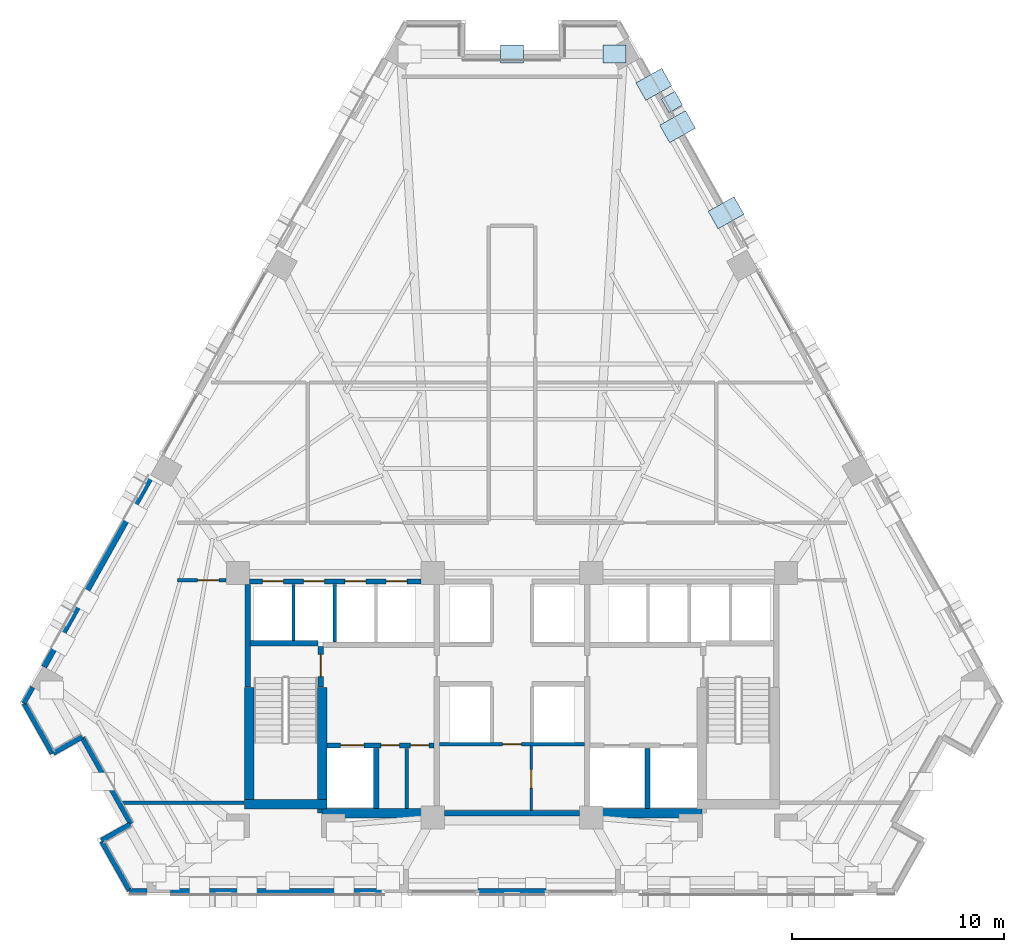
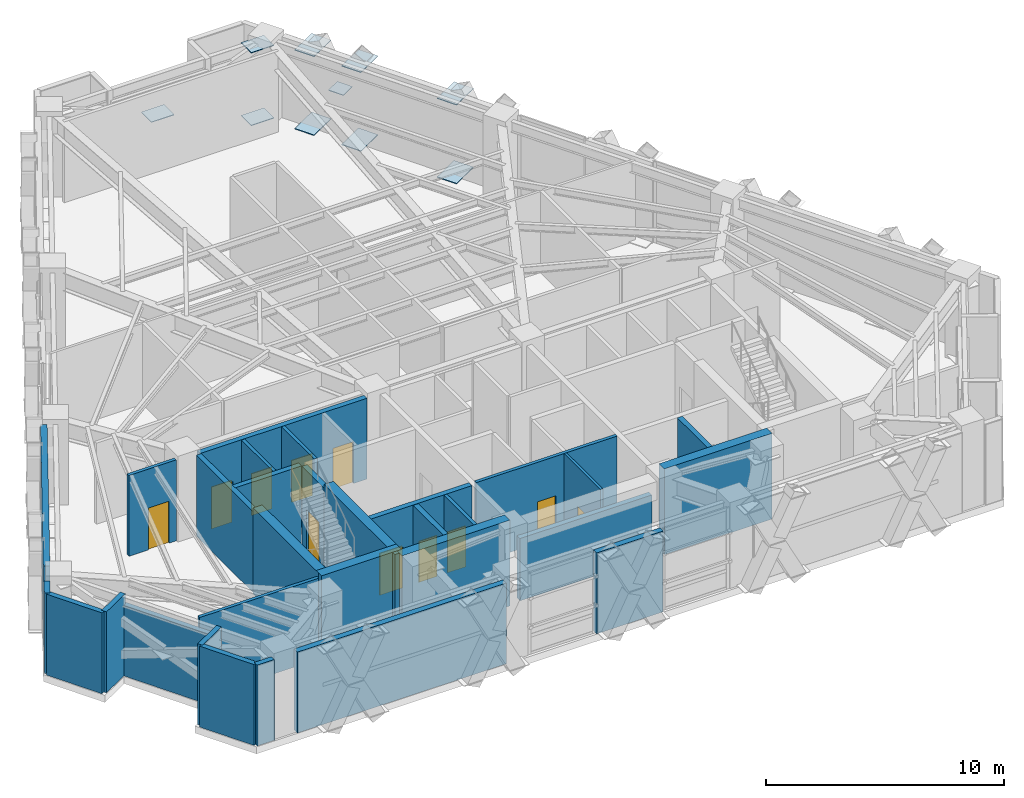
# One storey, part 6 of 12: 30 walls, 11 doors, 10 plates, 11 openings.
"""IFC4 building model written with IfcOpenShell, lengths in metres."""

from ifc_helpers import new_model, si_unit, direction, frame, frame_2d, origin, origin_2d, place, context, subcontext, project, spatial, rectangle, extrude, material, layer, layer_set, type_object, element, fill, save


model = new_model("IFC4")

# Units and contexts
model_context = context("Model", 3, precision=1e-05, world=origin(), true_north=direction((0.0, 1.0)))
body_context = subcontext(model_context, "Body", "Model", "MODEL_VIEW")
ifc_project = project(units=[si_unit("LENGTHUNIT", "METRE"), si_unit("AREAUNIT", "SQUARE_METRE"), si_unit("VOLUMEUNIT", "CUBIC_METRE"), si_unit("PLANEANGLEUNIT", "RADIAN"), si_unit("MASSUNIT", "GRAM", prefix="KILO")], contexts=[model_context])

# Site, building, storey
site_placement = place(None, origin())
site = spatial("IfcSite", under=ifc_project, at=site_placement, CompositionType="ELEMENT")
building_placement = place(site_placement, origin())
building = spatial("IfcBuilding", under=site, at=building_placement, Name="Quenlor Broadcast Tower", CompositionType="ELEMENT")
storey_placement = place(building_placement, frame((0.0, 0.0, 90.60009765625)))
storey = spatial("IfcBuildingStorey", under=building, at=storey_placement, Name="L24", CompositionType="ELEMENT", Elevation=90.60009765625)

# Plates
ifc_material_1 = material(Name="Steel S355", Category="steel")
ifc_layer_1 = layer(ifc_material_1, 0.031982421875)
ifc_layer_set_1 = layer_set([ifc_layer_1], Name="Outrigger Perimeter Steel S355 Belt Gusset Plate 1100x850x32")
plate_type_1 = type_object("IfcPlateType", Name="Outrigger Perimeter Steel S355 Belt Gusset Plate 1100x850x32", PredefinedType="SHEET", material=ifc_layer_set_1)
for number, where, z_axis, x_axis, name in (
    (1, (0.0, 19.718994140625, 2.048828125), (0.0, 0.0, 1.0), (1.0, 0.0, 0.0), "L24 Belt Truss Gusset Plate 8-MID"),
    (2, (4.84228515625, 19.718994140625, 0.18408203125), (0.0, 0.0, 1.0), (1.0, 0.0, 0.0), "L24 Belt Truss Gusset Plate 8-E1"),
    (3, (4.84228515625, 19.718994140625, 3.9140625), (0.0, 0.0, 1.0), (1.0, 0.0, 0.0), "L24 Belt Truss Gusset Plate 8-E3"),
):
    element("IfcPlate", number, at=place(storey_placement, frame(where, z_axis=z_axis, x_axis=x_axis)), inside=storey, type_object=plate_type_1, Name=name, PredefinedType="SHEET", context=body_context, shape_type="SweptSolid", body=[
        extrude(rectangle(XDim=1.10009765625, YDim=0.85009765625, at=origin_2d()), origin(), (0.0, 0.0, 1.0), 0.031982421875),
    ])
ifc_material_2 = material(Name="Steel S355", Category="steel")
ifc_layer_2 = layer(ifc_material_2, 0.028076171875)
ifc_layer_set_2 = layer_set([ifc_layer_2], Name="Perimeter Lattice Node Steel S355 Cap Plate 740x740x28")
plate_type_2 = type_object("IfcPlateType", Name="Perimeter Lattice Node Steel S355 Cap Plate 740x740x28", PredefinedType="USERDEFINED", material=ifc_layer_set_2)
plate_placement = place(storey_placement, frame((7.5537109375, 17.45068359375, 2.06591796875), z_axis=(0.0, 0.0, 1.0), x_axis=(0.490295412055, -0.871556314255, 0.0)))
element("IfcPlate", 4, at=plate_placement, inside=storey, type_object=plate_type_2, Name="L24 Diamond Lattice Crossing Node NE-C1", ObjectType="CAP PLATE", PredefinedType="USERDEFINED", context=body_context, shape_type="SweptSolid", body=[
    extrude(rectangle(XDim=0.739990234375, YDim=0.739990234375, at=origin_2d()), origin(), (0.0, 0.0, 1.0), 0.028076171875),
])
ifc_material_3 = material(Name="Steel S355", Category="steel")
ifc_layer_3 = layer(ifc_material_3, 0.035888671875)
ifc_layer_set_3 = layer_set([ifc_layer_3], Name="Transfer Truss Steel S355 Gusset Node Plate 1400x950x36")
plate_type_3 = type_object("IfcPlateType", Name="Transfer Truss Steel S355 Gusset Node Plate 1400x950x36", PredefinedType="SHEET", material=ifc_layer_set_3)
for number, where, z_axis, x_axis, name in (
    (5, (6.69970703125, 18.28564453125, 0.0419921875), (0.0, 0.0, 1.0), (0.871556314255, 0.490295412055, 0.0), "L24 Lattice Tie Gusset Node NE-B1"),
    (6, (7.823486328125, 16.287353515625, 4.08203125), (0.0, 0.0, 1.0), (0.871556314255, 0.490295412055, 0.0), "L24 Lattice Tie Gusset Node NE-T2"),
    (7, (7.823486328125, 16.287353515625, 0.0419921875), (0.0, 0.0, 1.0), (0.871556314255, 0.490295412055, 0.0), "L24 Lattice Tie Gusset Node NE-B2"),
    (8, (6.69970703125, 18.28564453125, 4.08203125), (0.0, 0.0, 1.0), (0.871556314255, 0.490295412055, 0.0), "L24 Lattice Tie Gusset Node NE-T1"),
    (9, (10.11279296875, 12.218017578125, 0.0419921875), (0.0, 0.0, 1.0), (0.871556314255, 0.490295412055, 0.0), "L24 Lattice Tie Gusset Node NE-B4"),
    (10, (10.11279296875, 12.218017578125, 4.08203125), (0.0, 0.0, 1.0), (0.871556314255, 0.490295412055, 0.0), "L24 Lattice Tie Gusset Node NE-T4"),
):
    element("IfcPlate", number, at=place(storey_placement, frame(where, z_axis=z_axis, x_axis=x_axis)), inside=storey, type_object=plate_type_3, Name=name, PredefinedType="SHEET", context=body_context, shape_type="SweptSolid", body=[
        extrude(rectangle(XDim=1.39990234375, YDim=0.949951171875, at=origin_2d()), origin(), (0.0, 0.0, 1.0), 0.035888671875),
    ])

# Walls
ifc_material_4 = material(Name="Concrete C50/60", Category="concrete")
ifc_layer_4 = layer(ifc_material_4, 0.449951171875)
ifc_layer_set_4 = layer_set([ifc_layer_4], Name="Core Concrete C50/60 Shear Wall 450")
wall_type_1 = type_object("IfcWallType", Name="Core Concrete C50/60 Shear Wall 450", PredefinedType="SHEAR", material=ifc_layer_set_4)
wall_1_placement = place(storey_placement, frame((-12.64990234375, -15.72509765625, 0.0), z_axis=(0.0, 0.0, 1.0), x_axis=(1.0, 0.0, 0.0)))
element("IfcWall", 11, at=wall_1_placement, inside=storey, type_object=wall_type_1, Name="L24 Core Shear Wall WS-W1", PredefinedType="SHEAR", context=body_context, shape_type="SweptSolid", body=[
    extrude(rectangle(XDim=3.89990234375, YDim=0.449951171875, at=frame_2d((1.949951171875, 0.0))), origin(), (0.0, 0.0, 1.0), 4.39990234375),
])
for number, where, z_axis, x_axis, name in (
    (12, (-8.97509765625, -16.14990234375, 0.0), (0.0, 0.0, 1.0), (1.0, 0.0, 0.0), "L24 Core Shear Wall WS-W2"),
    (13, (3.75, -16.14990234375, 0.0), (0.0, 0.0, 1.0), (1.0, 0.0, 0.0), "L24 Core Shear Wall WS-E1"),
):
    element("IfcWall", number, at=place(storey_placement, frame(where, z_axis=z_axis, x_axis=x_axis)), inside=storey, type_object=wall_type_1, Name=name, PredefinedType="SHEAR", context=body_context, shape_type="SweptSolid", body=[
        extrude(rectangle(XDim=5.22509765625, YDim=0.449951171875, at=frame_2d((2.612548828125, 0.0))), origin(), (0.0, 0.0, 1.0), 4.39990234375),
    ])
wall_2_placement = place(storey_placement, frame((-12.425048828125, -15.72509765625, 0.0), z_axis=(0.0, 0.0, 1.0), x_axis=(0.0, 1.0, 0.0)))
element("IfcWall", 14, at=wall_2_placement, inside=storey, type_object=wall_type_1, Name="L24 Core Shear Wall WF-W", PredefinedType="SHEAR", context=body_context, shape_type="SweptSolid", body=[
    extrude(rectangle(XDim=5.525146484375, YDim=0.449951171875, at=frame_2d((2.7626953125, 0.0))), origin(), (0.0, 0.0, 1.0), 4.39990234375),
])
wall_3_placement = place(storey_placement, frame((-8.97509765625, -16.14990234375, 0.0), z_axis=(0.0, 0.0, 1.0), x_axis=(0.0, 1.0, 0.0)))
element("IfcWall", 15, at=wall_3_placement, inside=storey, type_object=wall_type_1, Name="L24 Core Shear Wall WI-W", PredefinedType="SHEAR", context=body_context, shape_type="SweptSolid", body=[
    extrude(rectangle(XDim=5.949951171875, YDim=0.449951171875, at=frame_2d((2.97509765625, 0.0))), origin(), (0.0, 0.0, 1.0), 4.39990234375),
])

# Wall, opening, door
ifc_material_5 = material(Name="Concrete C40/50", Category="concrete")
ifc_layer_5 = layer(ifc_material_5, 0.25)
ifc_layer_set_5 = layer_set([ifc_layer_5], Name="Fire Rated Concrete C40/50 Core Wall 250")
wall_type_2 = type_object("IfcWallType", Name="Fire Rated Concrete C40/50 Core Wall 250", PredefinedType="PARTITIONING", material=ifc_layer_set_5)
wall_4_placement = place(storey_placement, frame((-9.0400390625, -10.179931640625, 0.0), z_axis=(0.0, 0.0, 1.0), x_axis=(0.0, 1.0, 0.0)))
wall_4 = element("IfcWall", 16, at=wall_4_placement, inside=storey, type_object=wall_type_2, Name="L24 Interior Wall CW-ST1-DR", PredefinedType="PARTITIONING", context=body_context, shape_type="SweptSolid", body=[
    extrude(rectangle(XDim=1.89990234375, YDim=0.25, at=frame_2d((0.949951171875, 0.0))), origin(), (0.0, 0.0, 1.0), 4.14990234375),
])
opening_1_placement = place(wall_4_placement, frame((0.47998046875, 0.0, 0.0)))
opening_1 = element("IfcOpeningElement", 17, at=opening_1_placement, cuts=wall_4, Name="Opening FD-1", PredefinedType="OPENING", context=body_context, shape_type="SweptSolid", body=[
    extrude(rectangle(XDim=1.050048828125, YDim=2.14990234375, at=frame_2d((0.52490234375, 1.074951171875))), frame((0.0, 0.135009765625, 0.0), z_axis=(0.0, -1.0, 0.0), x_axis=(1.0, 0.0, 0.0)), (0.0, 0.0, 1.0), 0.27001953125),
])
ifc_material_6 = material(Name="Fire Rated Steel Door Leaf", Category="steel")
door_type_1 = type_object("IfcDoorType", Name="Fire Isolated Stair Door 1050x2150", OperationType="NOTDEFINED", PredefinedType="DOOR", material=ifc_material_6)
door_1_placement = place(opening_1_placement, origin())
door_1 = element("IfcDoor", 18, at=door_1_placement, inside=storey, type_object=door_type_1, Name="L24 Door DR-ST1", OperationType="SINGLE_SWING_LEFT", OverallHeight=2.14990234375, OverallWidth=1.050048828125, PredefinedType="DOOR", context=body_context, shape_type="SweptSolid", body=[
    extrude(rectangle(XDim=1.050048828125, YDim=2.14990234375, at=frame_2d((0.52490234375, 1.074951171875))), frame((0.0, 0.02490234375, 0.0), z_axis=(0.0, -1.0, 0.0), x_axis=(1.0, 0.0, 0.0)), (0.0, 0.0, 1.0), 0.050048828125),
])
fill(opening_1, door_1)

# Walls
wall_5_placement = place(storey_placement, frame((-12.3798828125, -8.1201171875, 0.0), z_axis=(0.0, 0.0, 1.0), x_axis=(1.0, 0.0, 0.0)))
element("IfcWall", 19, at=wall_5_placement, inside=storey, type_object=wall_type_2, Name="L24 Interior Wall CW-ST1-N", PredefinedType="PARTITIONING", context=body_context, shape_type="SweptSolid", body=[
    extrude(rectangle(XDim=3.219970703125, YDim=0.25, at=frame_2d((1.60986328125, 0.0))), origin(), (0.0, 0.0, 1.0), 4.14990234375),
])
wall_6_placement = place(storey_placement, frame((-12.47998046875, -10.179931640625, 0.0), z_axis=(0.0, 0.0, 1.0), x_axis=(0.0, 1.0, 0.0)))
element("IfcWall", 20, at=wall_6_placement, inside=storey, type_object=wall_type_2, Name="L24 Interior Wall CW-ST1-W2", PredefinedType="PARTITIONING", context=body_context, shape_type="SweptSolid", body=[
    extrude(rectangle(XDim=4.827880859375, YDim=0.25, at=frame_2d((2.4140625, 0.0))), origin(), (0.0, 0.0, 1.0), 4.14990234375),
])

# Wall, openings, doors
wall_7_placement = place(storey_placement, frame((-8.748046875, -12.949951171875, 0.0), z_axis=(0.0, 0.0, 1.0), x_axis=(1.0, 0.0, 0.0)))
wall_7 = element("IfcWall", 21, at=wall_7_placement, inside=storey, type_object=wall_type_2, Name="L24 Interior Wall CW-FFW-S", PredefinedType="PARTITIONING", context=body_context, shape_type="SweptSolid", body=[
    extrude(rectangle(XDim=5.068115234375, YDim=0.25, at=frame_2d((2.5341796875, 0.0))), origin(), (0.0, 0.0, 1.0), 4.14990234375),
])
opening_2_placement = place(wall_7_placement, frame((0.64794921875, 0.0, 0.0)))
opening_2 = element("IfcOpeningElement", 22, at=opening_2_placement, cuts=wall_7, Name="Opening LD-FFL-1", PredefinedType="OPENING", context=body_context, shape_type="SweptSolid", body=[
    extrude(rectangle(XDim=1.10009765625, YDim=2.14990234375, at=frame_2d((0.550048828125, 1.074951171875))), frame((0.0, 0.135009765625, 0.0), z_axis=(0.0, -1.0, 0.0), x_axis=(1.0, 0.0, 0.0)), (0.0, 0.0, 1.0), 0.27001953125),
])
opening_3_placement = place(wall_7_placement, frame((2.548095703125, 0.0, 0.0)))
opening_3 = element("IfcOpeningElement", 23, at=opening_3_placement, cuts=wall_7, Name="Opening TD-1", PredefinedType="OPENING", context=body_context, shape_type="SweptSolid", body=[
    extrude(rectangle(XDim=0.8798828125, YDim=2.10009765625, at=frame_2d((0.43994140625, 1.050048828125))), frame((0.0, 0.135009765625, 0.0), z_axis=(0.0, -1.0, 0.0), x_axis=(1.0, 0.0, 0.0)), (0.0, 0.0, 1.0), 0.27001953125),
])
opening_4_placement = place(wall_7_placement, frame((3.947998046875, 0.0, 0.0)))
opening_4 = element("IfcOpeningElement", 24, at=opening_4_placement, cuts=wall_7, Name="Opening TD-1", PredefinedType="OPENING", context=body_context, shape_type="SweptSolid", body=[
    extrude(rectangle(XDim=0.8798828125, YDim=2.10009765625, at=frame_2d((0.43994140625, 1.050048828125))), frame((0.0, 0.135009765625, 0.0), z_axis=(0.0, -1.0, 0.0), x_axis=(1.0, 0.0, 0.0)), (0.0, 0.0, 1.0), 0.27001953125),
])
ifc_material_7 = material(Name="Brushed Stainless Steel", Category="steel")
door_type_2 = type_object("IfcDoorType", Name="Emergency Lift Sliding Landing Door 1100x2150", OperationType="NOTDEFINED", PredefinedType="DOOR", material=ifc_material_7)
door_2_placement = place(opening_2_placement, origin())
door_2 = element("IfcDoor", 25, at=door_2_placement, inside=storey, type_object=door_type_2, Name="L24 Door LD-FFL-1", OperationType="SLIDING_TO_LEFT", OverallHeight=2.14990234375, OverallWidth=1.10009765625, PredefinedType="DOOR", context=body_context, shape_type="SweptSolid", body=[
    extrude(rectangle(XDim=1.10009765625, YDim=2.14990234375, at=frame_2d((0.550048828125, 1.074951171875))), frame((0.0, 0.02490234375, 0.0), z_axis=(0.0, -1.0, 0.0), x_axis=(1.0, 0.0, 0.0)), (0.0, 0.0, 1.0), 0.050048828125),
])
fill(opening_2, door_2)
ifc_material_8 = material(Name="Fire Rated Steel Access Panel", Category="steel")
door_type_3 = type_object("IfcDoorType", Name="Riser Shaft Rated Access Trapdoor 880x2100", OperationType="NOTDEFINED", PredefinedType="TRAPDOOR", material=ifc_material_8)
door_3_placement = place(opening_3_placement, origin())
door_3 = element("IfcDoor", 26, at=door_3_placement, inside=storey, type_object=door_type_3, Name="L24 Door DR-ELR", OperationType="SINGLE_SWING_LEFT", OverallHeight=2.10009765625, OverallWidth=0.8798828125, PredefinedType="TRAPDOOR", context=body_context, shape_type="SweptSolid", body=[
    extrude(rectangle(XDim=0.8798828125, YDim=2.10009765625, at=frame_2d((0.43994140625, 1.050048828125))), frame((0.0, 0.02490234375, 0.0), z_axis=(0.0, -1.0, 0.0), x_axis=(1.0, 0.0, 0.0)), (0.0, 0.0, 1.0), 0.050048828125),
])
fill(opening_3, door_3)
door_4_placement = place(opening_4_placement, origin())
door_4 = element("IfcDoor", 27, at=door_4_placement, inside=storey, type_object=door_type_3, Name="L24 Door DR-CMR", OperationType="SINGLE_SWING_RIGHT", OverallHeight=2.10009765625, OverallWidth=0.8798828125, PredefinedType="TRAPDOOR", context=body_context, shape_type="SweptSolid", body=[
    extrude(rectangle(XDim=0.8798828125, YDim=2.10009765625, at=frame_2d((0.43994140625, 1.050048828125))), frame((0.0, 0.02490234375, 0.0), z_axis=(0.0, -1.0, 0.0), x_axis=(1.0, 0.0, 0.0)), (0.0, 0.0, 1.0), 0.050048828125),
])
fill(opening_4, door_4)

# Walls
for number, where, z_axis, x_axis, name in (
    (28, (-6.419921875, -15.919921875, 0.0), (0.0, 0.0, 1.0), (0.0, 1.0, 0.0), "L24 Interior Wall CW-FF1-E"),
    (29, (6.39990234375, -15.919921875, 0.0), (0.0, 0.0, 1.0), (0.0, 1.0, 0.0), "L24 Interior Wall CW-SV1-E"),
):
    element("IfcWall", number, at=place(storey_placement, frame(where, z_axis=z_axis, x_axis=x_axis)), inside=storey, type_object=wall_type_2, Name=name, PredefinedType="PARTITIONING", context=body_context, shape_type="SweptSolid", body=[
        extrude(rectangle(XDim=2.829833984375, YDim=0.25, at=frame_2d((1.4150390625, 0.0))), origin(), (0.0, 0.0, 1.0), 4.14990234375),
    ])

# Wall, openings, doors
wall_8_placement = place(storey_placement, frame((-12.39794921875, -5.199951171875, 0.0), z_axis=(0.0, 0.0, 1.0), x_axis=(1.0, 0.0, 0.0)))
wall_8 = element("IfcWall", 30, at=wall_8_placement, inside=storey, type_object=wall_type_2, Name="L24 Interior Wall CW-N-W", PredefinedType="PARTITIONING", context=body_context, shape_type="SweptSolid", body=[
    extrude(rectangle(XDim=8.095947265625, YDim=0.25, at=frame_2d((4.0478515625, 0.0))), origin(), (0.0, 0.0, 1.0), 4.14990234375),
])
opening_5_placement = place(wall_8_placement, frame((0.597900390625, 0.0, 0.0)))
opening_5 = element("IfcOpeningElement", 31, at=opening_5_placement, cuts=wall_8, Name="Opening LD-PL-L1", PredefinedType="OPENING", context=body_context, shape_type="SweptSolid", body=[
    extrude(rectangle(XDim=1.0, YDim=2.14990234375, at=frame_2d((0.5, 1.074951171875))), frame((0.0, 0.135009765625, 0.0), z_axis=(0.0, -1.0, 0.0), x_axis=(1.0, 0.0, 0.0)), (0.0, 0.0, 1.0), 0.27001953125),
])
opening_6_placement = place(wall_8_placement, frame((2.548095703125, 0.0, 0.0)))
opening_6 = element("IfcOpeningElement", 32, at=opening_6_placement, cuts=wall_8, Name="Opening LD-PL-L2", PredefinedType="OPENING", context=body_context, shape_type="SweptSolid", body=[
    extrude(rectangle(XDim=1.0, YDim=2.14990234375, at=frame_2d((0.5, 1.074951171875))), frame((0.0, 0.135009765625, 0.0), z_axis=(0.0, -1.0, 0.0), x_axis=(1.0, 0.0, 0.0)), (0.0, 0.0, 1.0), 0.27001953125),
])
opening_7_placement = place(wall_8_placement, frame((4.498046875, 0.0, 0.0)))
opening_7 = element("IfcOpeningElement", 33, at=opening_7_placement, cuts=wall_8, Name="Opening LD-PL-L3", PredefinedType="OPENING", context=body_context, shape_type="SweptSolid", body=[
    extrude(rectangle(XDim=1.0, YDim=2.14990234375, at=frame_2d((0.5, 1.074951171875))), frame((0.0, 0.135009765625, 0.0), z_axis=(0.0, -1.0, 0.0), x_axis=(1.0, 0.0, 0.0)), (0.0, 0.0, 1.0), 0.27001953125),
])
opening_8_placement = place(wall_8_placement, frame((6.447998046875, 0.0, 0.0)))
opening_8 = element("IfcOpeningElement", 34, at=opening_8_placement, cuts=wall_8, Name="Opening LD-PL-L4", PredefinedType="OPENING", context=body_context, shape_type="SweptSolid", body=[
    extrude(rectangle(XDim=1.0, YDim=2.14990234375, at=frame_2d((0.5, 1.074951171875))), frame((0.0, 0.135009765625, 0.0), z_axis=(0.0, -1.0, 0.0), x_axis=(1.0, 0.0, 0.0)), (0.0, 0.0, 1.0), 0.27001953125),
])
ifc_material_9 = material(Name="Brushed Stainless Steel", Category="steel")
door_type_4 = type_object("IfcDoorType", Name="Passenger Lift Sliding Landing Door 1000x2150", OperationType="NOTDEFINED", PredefinedType="DOOR", material=ifc_material_9)
door_5_placement = place(opening_5_placement, origin())
door_5 = element("IfcDoor", 35, at=door_5_placement, inside=storey, type_object=door_type_4, Name="L24 Door LD-PL-L1", OperationType="SLIDING_TO_LEFT", OverallHeight=2.14990234375, OverallWidth=1.0, PredefinedType="DOOR", context=body_context, shape_type="SweptSolid", body=[
    extrude(rectangle(XDim=1.0, YDim=2.14990234375, at=frame_2d((0.5, 1.074951171875))), frame((0.0, 0.02490234375, 0.0), z_axis=(0.0, -1.0, 0.0), x_axis=(1.0, 0.0, 0.0)), (0.0, 0.0, 1.0), 0.050048828125),
])
fill(opening_5, door_5)
door_6_placement = place(opening_6_placement, origin())
door_6 = element("IfcDoor", 36, at=door_6_placement, inside=storey, type_object=door_type_4, Name="L24 Door LD-PL-L2", OperationType="SLIDING_TO_LEFT", OverallHeight=2.14990234375, OverallWidth=1.0, PredefinedType="DOOR", context=body_context, shape_type="SweptSolid", body=[
    extrude(rectangle(XDim=1.0, YDim=2.14990234375, at=frame_2d((0.5, 1.074951171875))), frame((0.0, 0.02490234375, 0.0), z_axis=(0.0, -1.0, 0.0), x_axis=(1.0, 0.0, 0.0)), (0.0, 0.0, 1.0), 0.050048828125),
])
fill(opening_6, door_6)
door_7_placement = place(opening_7_placement, origin())
door_7 = element("IfcDoor", 37, at=door_7_placement, inside=storey, type_object=door_type_4, Name="L24 Door LD-PL-L3", OperationType="SLIDING_TO_LEFT", OverallHeight=2.14990234375, OverallWidth=1.0, PredefinedType="DOOR", context=body_context, shape_type="SweptSolid", body=[
    extrude(rectangle(XDim=1.0, YDim=2.14990234375, at=frame_2d((0.5, 1.074951171875))), frame((0.0, 0.02490234375, 0.0), z_axis=(0.0, -1.0, 0.0), x_axis=(1.0, 0.0, 0.0)), (0.0, 0.0, 1.0), 0.050048828125),
])
fill(opening_7, door_7)
door_8_placement = place(opening_8_placement, origin())
door_8 = element("IfcDoor", 38, at=door_8_placement, inside=storey, type_object=door_type_4, Name="L24 Door LD-PL-L4", OperationType="SLIDING_TO_LEFT", OverallHeight=2.14990234375, OverallWidth=1.0, PredefinedType="DOOR", context=body_context, shape_type="SweptSolid", body=[
    extrude(rectangle(XDim=1.0, YDim=2.14990234375, at=frame_2d((0.5, 1.074951171875))), frame((0.0, 0.02490234375, 0.0), z_axis=(0.0, -1.0, 0.0), x_axis=(1.0, 0.0, 0.0)), (0.0, 0.0, 1.0), 0.050048828125),
])
fill(opening_8, door_8)

# Walls
wall_9_placement = place(storey_placement, frame((-3.197998046875, -16.14990234375, 0.0), z_axis=(0.0, 0.0, 1.0), x_axis=(1.0, 0.0, 0.0)))
element("IfcWall", 39, at=wall_9_placement, inside=storey, type_object=wall_type_2, Name="L24 Interior Wall CW-MS-S", PredefinedType="PARTITIONING", context=body_context, shape_type="SweptSolid", body=[
    extrude(rectangle(XDim=6.39599609375, YDim=0.25, at=frame_2d((3.197998046875, 0.0))), origin(), (0.0, 0.0, 1.0), 3.199951171875),
])
ifc_material_10 = material(Name="Gypsum Fireboard Partition", Category="other")
ifc_layer_6 = layer(ifc_material_10, 0.159912109375)
ifc_layer_set_6 = layer_set([ifc_layer_6], Name="Fire Rated Shaft and Corridor Partition 160")
wall_type_3 = type_object("IfcWallType", Name="Fire Rated Shaft and Corridor Partition 160", PredefinedType="PARTITIONING", material=ifc_layer_set_6)
wall_10_placement = place(storey_placement, frame((-4.97998046875, -15.919921875, 0.0), z_axis=(0.0, 0.0, 1.0), x_axis=(0.0, 1.0, 0.0)))
element("IfcWall", 40, at=wall_10_placement, inside=storey, type_object=wall_type_3, Name="L24 Interior Wall CW-ELR-E", PredefinedType="PARTITIONING", context=body_context, shape_type="SweptSolid", body=[
    extrude(rectangle(XDim=2.829833984375, YDim=0.159912109375, at=frame_2d((1.4150390625, 0.0))), origin(), (0.0, 0.0, 1.0), 4.14990234375),
])
wall_11_placement = place(storey_placement, frame((-10.324951171875, -7.992919921875, 0.0), z_axis=(0.0, 0.0, 1.0), x_axis=(0.0, 1.0, 0.0)))
element("IfcWall", 41, at=wall_11_placement, inside=storey, type_object=wall_type_3, Name="L24 Interior Wall CW-PLL-D1", PredefinedType="PARTITIONING", context=body_context, shape_type="SweptSolid", body=[
    extrude(rectangle(XDim=2.65283203125, YDim=0.159912109375, at=frame_2d((1.326416015625, 0.0))), origin(), (0.0, 0.0, 1.0), 4.14990234375),
])
wall_12_placement = place(storey_placement, frame((-8.375, -8.072998046875, 0.0), z_axis=(0.0, 0.0, 1.0), x_axis=(0.0, 1.0, 0.0)))
element("IfcWall", 42, at=wall_12_placement, inside=storey, type_object=wall_type_3, Name="L24 Interior Wall CW-PLL-D2", PredefinedType="PARTITIONING", context=body_context, shape_type="SweptSolid", body=[
    extrude(rectangle(XDim=2.73291015625, YDim=0.159912109375, at=frame_2d((1.366455078125, 0.0))), origin(), (0.0, 0.0, 1.0), 4.14990234375),
])

# Wall, opening, door
wall_13_placement = place(storey_placement, frame((-3.419921875, -12.89990234375, 0.0), z_axis=(0.0, 0.0, 1.0), x_axis=(1.0, 0.0, 0.0)))
wall_13 = element("IfcWall", 43, at=wall_13_placement, inside=storey, type_object=wall_type_3, Name="L24 Interior Wall CW-MS-B", PredefinedType="PARTITIONING", context=body_context, shape_type="SweptSolid", body=[
    extrude(rectangle(XDim=6.83984375, YDim=0.159912109375, at=frame_2d((3.419921875, 0.0))), origin(), (0.0, 0.0, 1.0), 4.14990234375),
])
opening_9_placement = place(wall_13_placement, frame((2.97998046875, 0.0, 0.0)))
opening_9 = element("IfcOpeningElement", 44, at=opening_9_placement, cuts=wall_13, Name="Opening ID-4", PredefinedType="OPENING", context=body_context, shape_type="SweptSolid", body=[
    extrude(rectangle(XDim=0.8798828125, YDim=2.1201171875, at=frame_2d((0.43994140625, 1.06005859375))), frame((0.0, 0.08984375, 0.0), z_axis=(0.0, -1.0, 0.0), x_axis=(1.0, 0.0, 0.0)), (0.0, 0.0, 1.0), 0.179931640625),
])
ifc_material_11 = material(Name="Solid Core Timber Oak", Category="wood")
door_type_5 = type_object("IfcDoorType", Name="Service Closet Timber Door 880x2120", OperationType="NOTDEFINED", PredefinedType="DOOR", material=ifc_material_11)
door_9_placement = place(opening_9_placement, origin())
door_9 = element("IfcDoor", 45, at=door_9_placement, inside=storey, type_object=door_type_5, Name="L24 Door DR-CSV0", OperationType="SINGLE_SWING_LEFT", OverallHeight=2.1201171875, OverallWidth=0.8798828125, PredefinedType="DOOR", context=body_context, shape_type="SweptSolid", body=[
    extrude(rectangle(XDim=0.8798828125, YDim=2.1201171875, at=frame_2d((0.43994140625, 1.06005859375))), frame((0.0, 0.02490234375, 0.0), z_axis=(0.0, -1.0, 0.0), x_axis=(1.0, 0.0, 0.0)), (0.0, 0.0, 1.0), 0.050048828125),
])
fill(opening_9, door_9)

# Wall
wall_14_placement = place(storey_placement, frame((-18.431640625, -15.64990234375, 0.0), z_axis=(0.0, 0.0, 1.0), x_axis=(1.0, 0.0, 0.0)))
element("IfcWall", 46, at=wall_14_placement, inside=storey, type_object=wall_type_3, Name="L24 Interior Wall PW-PL-SBOTW", PredefinedType="PARTITIONING", context=body_context, shape_type="SweptSolid", body=[
    extrude(rectangle(XDim=5.779541015625, YDim=0.159912109375, at=frame_2d((2.8896484375, 0.0))), origin(), (0.0, 0.0, 1.0), 4.14990234375),
])

# Wall, opening, door
wall_15_placement = place(storey_placement, frame((-15.800048828125, -5.14990234375, 0.0), z_axis=(0.0, 0.0, 1.0), x_axis=(1.0, 0.0, 0.0)))
wall_15 = element("IfcWall", 47, at=wall_15_placement, inside=storey, type_object=wall_type_3, Name="L24 Interior Wall PW-RF-W", PredefinedType="PARTITIONING", context=body_context, shape_type="SweptSolid", body=[
    extrude(rectangle(XDim=2.298095703125, YDim=0.159912109375, at=frame_2d((1.14892578125, 0.0))), origin(), (0.0, 0.0, 1.0), 4.14990234375),
])
opening_10_placement = place(wall_15_placement, frame((0.949951171875, 0.0, 0.0)))
opening_10 = element("IfcOpeningElement", 48, at=opening_10_placement, cuts=wall_15, Name="Opening FD-2", PredefinedType="OPENING", context=body_context, shape_type="SweptSolid", body=[
    extrude(rectangle(XDim=1.0, YDim=2.14990234375, at=frame_2d((0.5, 1.074951171875))), frame((0.0, 0.08984375, 0.0), z_axis=(0.0, -1.0, 0.0), x_axis=(1.0, 0.0, 0.0)), (0.0, 0.0, 1.0), 0.179931640625),
])
ifc_material_12 = material(Name="Fire Rated Glazed Steel Door", Category="steel")
door_type_6 = type_object("IfcDoorType", Name="Firefighting Lobby Smoke Door 1000x2150", OperationType="NOTDEFINED", PredefinedType="DOOR", material=ifc_material_12)
door_10_placement = place(opening_10_placement, origin())
door_10 = element("IfcDoor", 49, at=door_10_placement, inside=storey, type_object=door_type_6, Name="L24 Door DR-REFW", OperationType="SINGLE_SWING_LEFT", OverallHeight=2.14990234375, OverallWidth=1.0, PredefinedType="DOOR", context=body_context, shape_type="SweptSolid", body=[
    extrude(rectangle(XDim=1.0, YDim=2.14990234375, at=frame_2d((0.5, 1.074951171875))), frame((0.0, 0.02490234375, 0.0), z_axis=(0.0, -1.0, 0.0), x_axis=(1.0, 0.0, 0.0)), (0.0, 0.0, 1.0), 0.050048828125),
])
fill(opening_10, door_10)

ifc_material_13 = material(Name="Gypsum Plasterboard Partition", Category="other")
ifc_layer_7 = layer(ifc_material_13, 0.1201171875)
ifc_layer_set_7 = layer_set([ifc_layer_7], Name="Standard Office Partition 120")
wall_type_4 = type_object("IfcWallType", Name="Standard Office Partition 120", PredefinedType="PARTITIONING", material=ifc_layer_set_7)
wall_16_placement = place(storey_placement, frame((0.909912109375, -16.02001953125, 0.0), z_axis=(0.0, 0.0, 1.0), x_axis=(0.0, 1.0, 0.0)))
wall_16 = element("IfcWall", 50, at=wall_16_placement, inside=storey, type_object=wall_type_4, Name="L24 Interior Wall CW-CSV-E2", PredefinedType="PARTITIONING", context=body_context, shape_type="SweptSolid", body=[
    extrude(rectangle(XDim=3.0380859375, YDim=0.1201171875, at=frame_2d((1.51904296875, 0.0))), origin(), (0.0, 0.0, 1.0), 4.14990234375),
])
opening_11_placement = place(wall_16_placement, frame((1.050048828125, 0.0, 0.0)))
opening_11 = element("IfcOpeningElement", 51, at=opening_11_placement, cuts=wall_16, Name="Opening ID-4", PredefinedType="OPENING", context=body_context, shape_type="SweptSolid", body=[
    extrude(rectangle(XDim=0.8798828125, YDim=2.1201171875, at=frame_2d((0.43994140625, 1.06005859375))), frame((0.0, 0.070068359375, 0.0), z_axis=(0.0, -1.0, 0.0), x_axis=(1.0, 0.0, 0.0)), (0.0, 0.0, 1.0), 0.14013671875),
])
door_11_placement = place(opening_11_placement, origin())
door_11 = element("IfcDoor", 52, at=door_11_placement, inside=storey, type_object=door_type_5, Name="L24 Door DR-CSV2", OperationType="SINGLE_SWING_RIGHT", OverallHeight=2.1201171875, OverallWidth=0.8798828125, PredefinedType="DOOR", context=body_context, shape_type="SweptSolid", body=[
    extrude(rectangle(XDim=0.8798828125, YDim=2.1201171875, at=frame_2d((0.43994140625, 1.06005859375))), frame((0.0, 0.02490234375, 0.0), z_axis=(0.0, -1.0, 0.0), x_axis=(1.0, 0.0, 0.0)), (0.0, 0.0, 1.0), 0.050048828125),
])
fill(opening_11, door_11)

# Walls
ifc_material_14 = material(Name="Precast concrete C40/50", Category="concrete")
ifc_layer_8 = layer(ifc_material_14, 0.239990234375)
ifc_layer_set_8 = layer_set([ifc_layer_8], Name="Terrace Threshold Precast Concrete C40/50 Wall 240")
wall_type_5 = type_object("IfcWallType", Name="Terrace Threshold Precast Concrete C40/50 Wall 240", PredefinedType="STANDARD", material=ifc_layer_set_8)
wall_17_placement = place(storey_placement, frame((-17.24755859375, -19.840087890625, 0.0), z_axis=(0.0, 0.0, 1.0), x_axis=(-1.0, 0.0, 0.0)))
element("IfcWall", 53, at=wall_17_placement, inside=storey, type_object=wall_type_5, Name="L24 Exterior Wall L24-SHD-SS1", PredefinedType="STANDARD", context=body_context, shape_type="SweptSolid", body=[
    extrude(rectangle(XDim=0.83642578125, YDim=0.239990234375, at=frame_2d((0.418212890625, 0.0))), origin(), (0.0, 0.0, 1.0), 4.14990234375),
])
wall_18_placement = place(storey_placement, frame((-23.078125, -10.9541015625, 0.0), z_axis=(0.0, 0.0, 1.0), x_axis=(0.490355003566, 0.871522788272, 0.0)))
element("IfcWall", 54, at=wall_18_placement, inside=storey, type_object=wall_type_5, Name="L24 Exterior Wall L24-SHD-NWS0", PredefinedType="STANDARD", context=body_context, shape_type="SweptSolid", body=[
    extrude(rectangle(XDim=0.865234375, YDim=0.239990234375, at=frame_2d((0.4326171875, 0.0))), origin(), (0.0, 0.0, 1.0), 4.14990234375),
])
wall_19_placement = place(storey_placement, frame((-23.043701171875, -10.962890625, 0.0), z_axis=(0.0, 0.0, 1.0), x_axis=(0.490218533594, -0.871599557894, 0.0)))
element("IfcWall", 55, at=wall_19_placement, inside=storey, type_object=wall_type_5, Name="L24 Exterior Wall L24-CNR-12", PredefinedType="STANDARD", context=body_context, shape_type="SweptSolid", body=[
    extrude(rectangle(XDim=2.714111328125, YDim=0.239990234375, at=frame_2d((1.35693359375, 0.0))), origin(), (0.0, 0.0, 1.0), 4.14990234375),
])
wall_20_placement = place(storey_placement, frame((-21.67822265625, -13.30908203125, 0.0), z_axis=(0.0, 0.0, 1.0), x_axis=(0.871546278971, 0.490313250496, 0.0)))
element("IfcWall", 56, at=wall_20_placement, inside=storey, type_object=wall_type_5, Name="L24 Exterior Wall L24-CNR-13", PredefinedType="STANDARD", context=body_context, shape_type="SweptSolid", body=[
    extrude(rectangle(XDim=1.56005859375, YDim=0.239990234375, at=frame_2d((0.780029296875, 0.0))), origin(), (0.0, 0.0, 1.0), 4.14990234375),
])
wall_21_placement = place(storey_placement, frame((-20.299072265625, -12.5791015625, 0.0), z_axis=(0.0, 0.0, 1.0), x_axis=(0.490313250496, -0.871546278971, 0.0)))
element("IfcWall", 57, at=wall_21_placement, inside=storey, type_object=wall_type_5, Name="L24 Exterior Wall L24-CNR-14", PredefinedType="STANDARD", context=body_context, shape_type="SweptSolid", body=[
    extrude(rectangle(XDim=4.679931640625, YDim=0.239990234375, at=frame_2d((2.33984375, 0.0))), origin(), (0.0, 0.0, 1.0), 3.62158203125),
])
wall_22_placement = place(storey_placement, frame((-18.039306640625, -16.677490234375, 0.0), z_axis=(0.0, 0.0, 1.0), x_axis=(-0.871546278971, -0.490313250496, 0.0)))
element("IfcWall", 58, at=wall_22_placement, inside=storey, type_object=wall_type_5, Name="L24 Exterior Wall L24-CNR-15", PredefinedType="STANDARD", context=body_context, shape_type="SweptSolid", body=[
    extrude(rectangle(XDim=1.56005859375, YDim=0.239990234375, at=frame_2d((0.780029296875, 0.0))), origin(), (0.0, 0.0, 1.0), 4.14990234375),
])
wall_23_placement = place(storey_placement, frame((-19.37939453125, -17.477294921875, 0.0), z_axis=(0.0, 0.0, 1.0), x_axis=(0.49023085981, -0.871592625078, 0.0)))
element("IfcWall", 59, at=wall_23_placement, inside=storey, type_object=wall_type_5, Name="L24 Exterior Wall L24-CNR-16", PredefinedType="STANDARD", context=body_context, shape_type="SweptSolid", body=[
    extrude(rectangle(XDim=2.6708984375, YDim=0.239990234375, at=frame_2d((1.33544921875, 0.0))), origin(), (0.0, 0.0, 1.0), 4.14990234375),
])
ifc_material_15 = material(Name="Precast concrete C40/50", Category="concrete")
ifc_layer_9 = layer(ifc_material_15, 0.280029296875)
ifc_layer_set_9 = layer_set([ifc_layer_9], Name="Terracotta Precast Concrete C40/50 Facade Wall 280")
wall_type_6 = type_object("IfcWallType", Name="Terracotta Precast Concrete C40/50 Facade Wall 280", PredefinedType="STANDARD", material=ifc_layer_set_9)
wall_24_placement = place(storey_placement, frame((-5.998291015625, -19.840087890625, 0.0), z_axis=(0.0, 0.0, 1.0), x_axis=(-1.0, 0.0, 0.0)))
element("IfcWall", 60, at=wall_24_placement, inside=storey, type_object=wall_type_6, Name="L24 Exterior Wall L24-EW-SC", PredefinedType="STANDARD", context=body_context, shape_type="SweptSolid", body=[
    extrude(rectangle(XDim=10.13916015625, YDim=0.280029296875, at=frame_2d((5.069580078125, 0.0))), origin(), (0.0, 0.0, 1.0), 4.14990234375),
])
wall_25_placement = place(storey_placement, frame((1.611572265625, -19.840087890625, 0.0), z_axis=(0.0, 0.0, 1.0), x_axis=(-1.0, 0.0, 0.0)))
element("IfcWall", 61, at=wall_25_placement, inside=storey, type_object=wall_type_6, Name="L24 Exterior Wall L24-S-SP1", PredefinedType="STANDARD", context=body_context, shape_type="SweptSolid", body=[
    extrude(rectangle(XDim=3.22314453125, YDim=0.280029296875, at=frame_2d((1.611572265625, 0.0))), origin(), (0.0, 0.0, 1.0), 4.14990234375),
])
wall_26_placement = place(storey_placement, frame((-22.109619140625, -9.232421875, 0.0), z_axis=(0.0, 0.0, 1.0), x_axis=(0.49024893553, 0.871582458068, 0.0)))
element("IfcWall", 62, at=wall_26_placement, inside=storey, type_object=wall_type_6, Name="L24 Exterior Wall L24-EW-NWA", PredefinedType="STANDARD", context=body_context, shape_type="SweptSolid", body=[
    extrude(rectangle(XDim=10.36279296875, YDim=0.280029296875, at=frame_2d((5.181396484375, 0.0))), origin(), (0.0, 0.0, 1.0), 4.14990234375),
])

save(model, "model.ifc")
